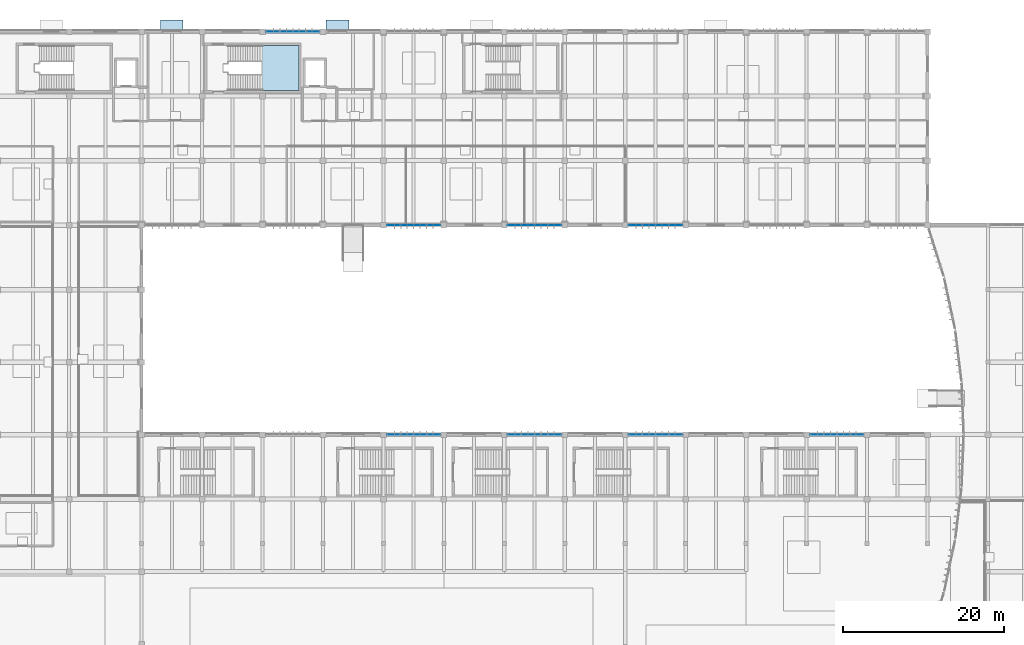
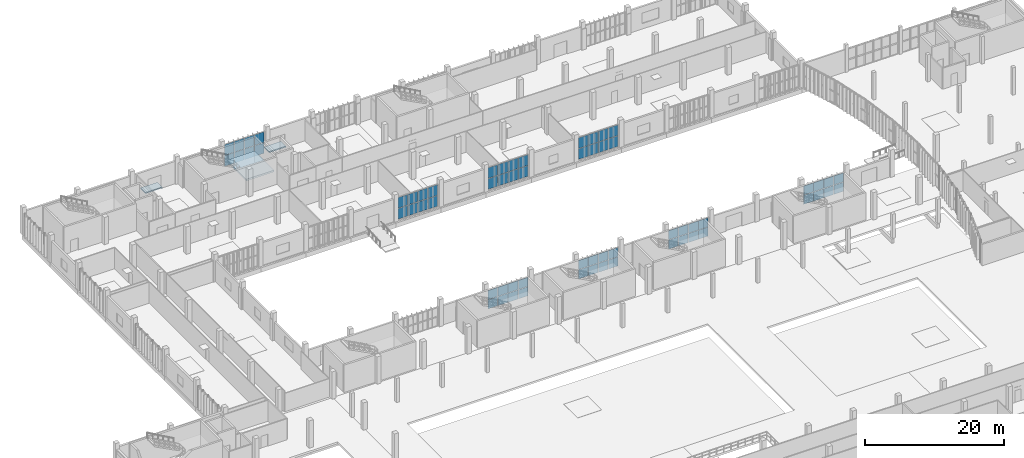
# One storey, part 37 of 72: 64 plates, 3 slabs, 9 elements without a shape of their own.
"""IFC4 building model written with IfcOpenShell, lengths in metres."""

from ifc_helpers import new_model, si_unit, direction, frame, origin, origin_2d, place, context, subcontext, project, spatial, polyline, rectangle, outline, extrude, material, layer, layer_set, type_object, element, aggregate, save


model = new_model("IFC4")

# Units and contexts
model_context = context("Model", 3, precision=1e-05, world=origin(), true_north=direction((0.0, 1.0)))
body_context = subcontext(model_context, "Body", "Model", "MODEL_VIEW")
ifc_project = project(units=[si_unit("LENGTHUNIT", "METRE"), si_unit("AREAUNIT", "SQUARE_METRE"), si_unit("VOLUMEUNIT", "CUBIC_METRE"), si_unit("PLANEANGLEUNIT", "RADIAN"), si_unit("MASSUNIT", "GRAM", prefix="KILO")], contexts=[model_context])

# Site, building, storey
site_placement = place(None, origin())
site = spatial("IfcSite", under=ifc_project, at=site_placement, CompositionType="ELEMENT")
building_placement = place(site_placement, origin())
building = spatial("IfcBuilding", under=site, at=building_placement, Name="Vourika Railside Aquatics Centre", CompositionType="ELEMENT")
storey_placement = place(building_placement, origin())
storey = spatial("IfcBuildingStorey", under=building, at=storey_placement, Name="L00", CompositionType="ELEMENT", Elevation=0.0)

# Curtain wall, plates
ifc_material_1 = material(Name="Anodized thermally broken aluminium", Category="aluminium")
curtain_wall_type_1 = type_object("IfcCurtainWallType", Name="CW-CRT0", PredefinedType="NOTDEFINED", material=ifc_material_1)
curtain_wall_1_placement = place(storey_placement, origin())
curtain_wall_1 = element("IfcCurtainWall", 1, at=curtain_wall_1_placement, inside=storey, type_object=curtain_wall_type_1, Name="North Courtyard Undercroft Curtain Wall 5", PredefinedType="NOTDEFINED")
ifc_material_2 = material(Name="Low-E solar-control laminated double glazing", Category="glass")
ifc_layer_1 = layer(ifc_material_2, 0.031982421875, Name="CWP-CRT0")
ifc_layer_set_1 = layer_set([ifc_layer_1], Name="Low-E solar-control laminated double glazing")
plate_type_1 = type_object("IfcPlateType", Name="CWP-CRT0", PredefinedType="CURTAIN_PANEL", material=ifc_layer_set_1)
plate_1_placement = place(storey_placement, frame((72.260009765625, 66.0, 0.070068359375), z_axis=(0.0, 0.0, 1.0), x_axis=(-1.0, 0.0, 0.0)))
plate_1 = element("IfcPlate", 2, at=plate_1_placement, type_object=plate_type_1, Name="CW12 panel 1.1", PredefinedType="CURTAIN_PANEL", context=body_context, shape_type="SweptSolid", body=[
    extrude(rectangle(XDim=1.580078125, YDim=0.031982421875, at=origin_2d()), origin(), (0.0, 0.0, 1.0), 1.5849609375),
])
plate_2_placement = place(storey_placement, frame((72.260009765625, 66.0, 1.72509765625), z_axis=(0.0, 0.0, 1.0), x_axis=(-1.0, 0.0, 0.0)))
plate_2 = element("IfcPlate", 3, at=plate_2_placement, type_object=plate_type_1, Name="CW12 panel 1.2", PredefinedType="CURTAIN_PANEL", context=body_context, shape_type="SweptSolid", body=[
    extrude(rectangle(XDim=1.580078125, YDim=0.031982421875, at=origin_2d()), origin(), (0.0, 0.0, 1.0), 1.5849609375),
])
plate_3_placement = place(storey_placement, frame((70.592529296875, 66.0, 0.070068359375), z_axis=(0.0, 0.0, 1.0), x_axis=(-1.0, 0.0, 0.0)))
plate_3 = element("IfcPlate", 4, at=plate_3_placement, type_object=plate_type_1, Name="CW12 panel 2.1", PredefinedType="CURTAIN_PANEL", context=body_context, shape_type="SweptSolid", body=[
    extrude(rectangle(XDim=1.614990234375, YDim=0.031982421875, at=origin_2d()), origin(), (0.0, 0.0, 1.0), 1.5849609375),
])
plate_4_placement = place(storey_placement, frame((70.592529296875, 66.0, 1.72509765625), z_axis=(0.0, 0.0, 1.0), x_axis=(-1.0, 0.0, 0.0)))
plate_4 = element("IfcPlate", 5, at=plate_4_placement, type_object=plate_type_1, Name="CW12 panel 2.2", PredefinedType="CURTAIN_PANEL", context=body_context, shape_type="SweptSolid", body=[
    extrude(rectangle(XDim=1.614990234375, YDim=0.031982421875, at=origin_2d()), origin(), (0.0, 0.0, 1.0), 1.5849609375),
])
plate_5_placement = place(storey_placement, frame((68.907470703125, 66.0, 0.070068359375), z_axis=(0.0, 0.0, 1.0), x_axis=(-1.0, 0.0, 0.0)))
plate_5 = element("IfcPlate", 6, at=plate_5_placement, type_object=plate_type_1, Name="CW12 panel 3.1", PredefinedType="CURTAIN_PANEL", context=body_context, shape_type="SweptSolid", body=[
    extrude(rectangle(XDim=1.614990234375, YDim=0.031982421875, at=origin_2d()), origin(), (0.0, 0.0, 1.0), 1.5849609375),
])
plate_6_placement = place(storey_placement, frame((68.907470703125, 66.0, 1.72509765625), z_axis=(0.0, 0.0, 1.0), x_axis=(-1.0, 0.0, 0.0)))
plate_6 = element("IfcPlate", 7, at=plate_6_placement, type_object=plate_type_1, Name="CW12 panel 3.2", PredefinedType="CURTAIN_PANEL", context=body_context, shape_type="SweptSolid", body=[
    extrude(rectangle(XDim=1.614990234375, YDim=0.031982421875, at=origin_2d()), origin(), (0.0, 0.0, 1.0), 1.5849609375),
])
plate_7_placement = place(storey_placement, frame((67.239990234375, 66.0, 0.070068359375), z_axis=(0.0, 0.0, 1.0), x_axis=(-1.0, 0.0, 0.0)))
plate_7 = element("IfcPlate", 8, at=plate_7_placement, type_object=plate_type_1, Name="CW12 panel 4.1", PredefinedType="CURTAIN_PANEL", context=body_context, shape_type="SweptSolid", body=[
    extrude(rectangle(XDim=1.580078125, YDim=0.031982421875, at=origin_2d()), origin(), (0.0, 0.0, 1.0), 1.5849609375),
])
plate_8_placement = place(storey_placement, frame((67.239990234375, 66.0, 1.72509765625), z_axis=(0.0, 0.0, 1.0), x_axis=(-1.0, 0.0, 0.0)))
plate_8 = element("IfcPlate", 9, at=plate_8_placement, type_object=plate_type_1, Name="CW12 panel 4.2", PredefinedType="CURTAIN_PANEL", context=body_context, shape_type="SweptSolid", body=[
    extrude(rectangle(XDim=1.580078125, YDim=0.031982421875, at=origin_2d()), origin(), (0.0, 0.0, 1.0), 1.5849609375),
])
aggregate(curtain_wall_1, [plate_1, plate_2, plate_3, plate_4, plate_5, plate_6, plate_7, plate_8])

curtain_wall_2_placement = place(storey_placement, origin())
curtain_wall_2 = element("IfcCurtainWall", 10, at=curtain_wall_2_placement, inside=storey, type_object=curtain_wall_type_1, Name="North Courtyard Undercroft Curtain Wall 7", PredefinedType="NOTDEFINED")
plate_9_placement = place(storey_placement, frame((87.260009765625, 66.0, 0.070068359375), z_axis=(0.0, 0.0, 1.0), x_axis=(-1.0, 0.0, 0.0)))
plate_9 = element("IfcPlate", 11, at=plate_9_placement, type_object=plate_type_1, Name="CW12 panel 1.1", PredefinedType="CURTAIN_PANEL", context=body_context, shape_type="SweptSolid", body=[
    extrude(rectangle(XDim=1.580078125, YDim=0.031982421875, at=origin_2d()), origin(), (0.0, 0.0, 1.0), 1.5849609375),
])
plate_10_placement = place(storey_placement, frame((87.260009765625, 66.0, 1.72509765625), z_axis=(0.0, 0.0, 1.0), x_axis=(-1.0, 0.0, 0.0)))
plate_10 = element("IfcPlate", 12, at=plate_10_placement, type_object=plate_type_1, Name="CW12 panel 1.2", PredefinedType="CURTAIN_PANEL", context=body_context, shape_type="SweptSolid", body=[
    extrude(rectangle(XDim=1.580078125, YDim=0.031982421875, at=origin_2d()), origin(), (0.0, 0.0, 1.0), 1.5849609375),
])
plate_11_placement = place(storey_placement, frame((85.592529296875, 66.0, 0.070068359375), z_axis=(0.0, 0.0, 1.0), x_axis=(-1.0, 0.0, 0.0)))
plate_11 = element("IfcPlate", 13, at=plate_11_placement, type_object=plate_type_1, Name="CW12 panel 2.1", PredefinedType="CURTAIN_PANEL", context=body_context, shape_type="SweptSolid", body=[
    extrude(rectangle(XDim=1.614990234375, YDim=0.031982421875, at=origin_2d()), origin(), (0.0, 0.0, 1.0), 1.5849609375),
])
plate_12_placement = place(storey_placement, frame((85.592529296875, 66.0, 1.72509765625), z_axis=(0.0, 0.0, 1.0), x_axis=(-1.0, 0.0, 0.0)))
plate_12 = element("IfcPlate", 14, at=plate_12_placement, type_object=plate_type_1, Name="CW12 panel 2.2", PredefinedType="CURTAIN_PANEL", context=body_context, shape_type="SweptSolid", body=[
    extrude(rectangle(XDim=1.614990234375, YDim=0.031982421875, at=origin_2d()), origin(), (0.0, 0.0, 1.0), 1.5849609375),
])
plate_13_placement = place(storey_placement, frame((83.907470703125, 66.0, 0.070068359375), z_axis=(0.0, 0.0, 1.0), x_axis=(-1.0, 0.0, 0.0)))
plate_13 = element("IfcPlate", 15, at=plate_13_placement, type_object=plate_type_1, Name="CW12 panel 3.1", PredefinedType="CURTAIN_PANEL", context=body_context, shape_type="SweptSolid", body=[
    extrude(rectangle(XDim=1.614990234375, YDim=0.031982421875, at=origin_2d()), origin(), (0.0, 0.0, 1.0), 1.5849609375),
])
plate_14_placement = place(storey_placement, frame((83.907470703125, 66.0, 1.72509765625), z_axis=(0.0, 0.0, 1.0), x_axis=(-1.0, 0.0, 0.0)))
plate_14 = element("IfcPlate", 16, at=plate_14_placement, type_object=plate_type_1, Name="CW12 panel 3.2", PredefinedType="CURTAIN_PANEL", context=body_context, shape_type="SweptSolid", body=[
    extrude(rectangle(XDim=1.614990234375, YDim=0.031982421875, at=origin_2d()), origin(), (0.0, 0.0, 1.0), 1.5849609375),
])
plate_15_placement = place(storey_placement, frame((82.239990234375, 66.0, 0.070068359375), z_axis=(0.0, 0.0, 1.0), x_axis=(-1.0, 0.0, 0.0)))
plate_15 = element("IfcPlate", 17, at=plate_15_placement, type_object=plate_type_1, Name="CW12 panel 4.1", PredefinedType="CURTAIN_PANEL", context=body_context, shape_type="SweptSolid", body=[
    extrude(rectangle(XDim=1.580078125, YDim=0.031982421875, at=origin_2d()), origin(), (0.0, 0.0, 1.0), 1.5849609375),
])
plate_16_placement = place(storey_placement, frame((82.239990234375, 66.0, 1.72509765625), z_axis=(0.0, 0.0, 1.0), x_axis=(-1.0, 0.0, 0.0)))
plate_16 = element("IfcPlate", 18, at=plate_16_placement, type_object=plate_type_1, Name="CW12 panel 4.2", PredefinedType="CURTAIN_PANEL", context=body_context, shape_type="SweptSolid", body=[
    extrude(rectangle(XDim=1.580078125, YDim=0.031982421875, at=origin_2d()), origin(), (0.0, 0.0, 1.0), 1.5849609375),
])
aggregate(curtain_wall_2, [plate_9, plate_10, plate_11, plate_12, plate_13, plate_14, plate_15, plate_16])

curtain_wall_3_placement = place(storey_placement, origin())
curtain_wall_3 = element("IfcCurtainWall", 19, at=curtain_wall_3_placement, inside=storey, type_object=curtain_wall_type_1, Name="North Courtyard Undercroft Curtain Wall 9", PredefinedType="NOTDEFINED")
plate_17_placement = place(storey_placement, frame((102.260009765625, 66.0, 0.070068359375), z_axis=(0.0, 0.0, 1.0), x_axis=(-1.0, 0.0, 0.0)))
plate_17 = element("IfcPlate", 20, at=plate_17_placement, type_object=plate_type_1, Name="CW12 panel 1.1", PredefinedType="CURTAIN_PANEL", context=body_context, shape_type="SweptSolid", body=[
    extrude(rectangle(XDim=1.580078125, YDim=0.031982421875, at=origin_2d()), origin(), (0.0, 0.0, 1.0), 1.5849609375),
])
plate_18_placement = place(storey_placement, frame((102.260009765625, 66.0, 1.72509765625), z_axis=(0.0, 0.0, 1.0), x_axis=(-1.0, 0.0, 0.0)))
plate_18 = element("IfcPlate", 21, at=plate_18_placement, type_object=plate_type_1, Name="CW12 panel 1.2", PredefinedType="CURTAIN_PANEL", context=body_context, shape_type="SweptSolid", body=[
    extrude(rectangle(XDim=1.580078125, YDim=0.031982421875, at=origin_2d()), origin(), (0.0, 0.0, 1.0), 1.5849609375),
])
plate_19_placement = place(storey_placement, frame((100.592529296875, 66.0, 0.070068359375), z_axis=(0.0, 0.0, 1.0), x_axis=(-1.0, 0.0, 0.0)))
plate_19 = element("IfcPlate", 22, at=plate_19_placement, type_object=plate_type_1, Name="CW12 panel 2.1", PredefinedType="CURTAIN_PANEL", context=body_context, shape_type="SweptSolid", body=[
    extrude(rectangle(XDim=1.614990234375, YDim=0.031982421875, at=origin_2d()), origin(), (0.0, 0.0, 1.0), 1.5849609375),
])
plate_20_placement = place(storey_placement, frame((100.592529296875, 66.0, 1.72509765625), z_axis=(0.0, 0.0, 1.0), x_axis=(-1.0, 0.0, 0.0)))
plate_20 = element("IfcPlate", 23, at=plate_20_placement, type_object=plate_type_1, Name="CW12 panel 2.2", PredefinedType="CURTAIN_PANEL", context=body_context, shape_type="SweptSolid", body=[
    extrude(rectangle(XDim=1.614990234375, YDim=0.031982421875, at=origin_2d()), origin(), (0.0, 0.0, 1.0), 1.5849609375),
])
plate_21_placement = place(storey_placement, frame((98.907470703125, 66.0, 0.070068359375), z_axis=(0.0, 0.0, 1.0), x_axis=(-1.0, 0.0, 0.0)))
plate_21 = element("IfcPlate", 24, at=plate_21_placement, type_object=plate_type_1, Name="CW12 panel 3.1", PredefinedType="CURTAIN_PANEL", context=body_context, shape_type="SweptSolid", body=[
    extrude(rectangle(XDim=1.614990234375, YDim=0.031982421875, at=origin_2d()), origin(), (0.0, 0.0, 1.0), 1.5849609375),
])
plate_22_placement = place(storey_placement, frame((98.907470703125, 66.0, 1.72509765625), z_axis=(0.0, 0.0, 1.0), x_axis=(-1.0, 0.0, 0.0)))
plate_22 = element("IfcPlate", 25, at=plate_22_placement, type_object=plate_type_1, Name="CW12 panel 3.2", PredefinedType="CURTAIN_PANEL", context=body_context, shape_type="SweptSolid", body=[
    extrude(rectangle(XDim=1.614990234375, YDim=0.031982421875, at=origin_2d()), origin(), (0.0, 0.0, 1.0), 1.5849609375),
])
plate_23_placement = place(storey_placement, frame((97.239990234375, 66.0, 0.070068359375), z_axis=(0.0, 0.0, 1.0), x_axis=(-1.0, 0.0, 0.0)))
plate_23 = element("IfcPlate", 26, at=plate_23_placement, type_object=plate_type_1, Name="CW12 panel 4.1", PredefinedType="CURTAIN_PANEL", context=body_context, shape_type="SweptSolid", body=[
    extrude(rectangle(XDim=1.580078125, YDim=0.031982421875, at=origin_2d()), origin(), (0.0, 0.0, 1.0), 1.5849609375),
])
plate_24_placement = place(storey_placement, frame((97.239990234375, 66.0, 1.72509765625), z_axis=(0.0, 0.0, 1.0), x_axis=(-1.0, 0.0, 0.0)))
plate_24 = element("IfcPlate", 27, at=plate_24_placement, type_object=plate_type_1, Name="CW12 panel 4.2", PredefinedType="CURTAIN_PANEL", context=body_context, shape_type="SweptSolid", body=[
    extrude(rectangle(XDim=1.580078125, YDim=0.031982421875, at=origin_2d()), origin(), (0.0, 0.0, 1.0), 1.5849609375),
])
aggregate(curtain_wall_3, [plate_17, plate_18, plate_19, plate_20, plate_21, plate_22, plate_23, plate_24])

curtain_wall_4_placement = place(storey_placement, origin())
curtain_wall_4 = element("IfcCurtainWall", 28, at=curtain_wall_4_placement, inside=storey, type_object=curtain_wall_type_1, Name="North Courtyard Undercroft Curtain Wall 12", PredefinedType="NOTDEFINED")
plate_25_placement = place(storey_placement, frame((124.760009765625, 66.0, 0.070068359375), z_axis=(0.0, 0.0, 1.0), x_axis=(-1.0, 0.0, 0.0)))
plate_25 = element("IfcPlate", 29, at=plate_25_placement, type_object=plate_type_1, Name="CW12 panel 1.1", PredefinedType="CURTAIN_PANEL", context=body_context, shape_type="SweptSolid", body=[
    extrude(rectangle(XDim=1.580078125, YDim=0.031982421875, at=origin_2d()), origin(), (0.0, 0.0, 1.0), 1.5849609375),
])
plate_26_placement = place(storey_placement, frame((124.760009765625, 66.0, 1.72509765625), z_axis=(0.0, 0.0, 1.0), x_axis=(-1.0, 0.0, 0.0)))
plate_26 = element("IfcPlate", 30, at=plate_26_placement, type_object=plate_type_1, Name="CW12 panel 1.2", PredefinedType="CURTAIN_PANEL", context=body_context, shape_type="SweptSolid", body=[
    extrude(rectangle(XDim=1.580078125, YDim=0.031982421875, at=origin_2d()), origin(), (0.0, 0.0, 1.0), 1.5849609375),
])
plate_27_placement = place(storey_placement, frame((123.092529296875, 66.0, 0.070068359375), z_axis=(0.0, 0.0, 1.0), x_axis=(-1.0, 0.0, 0.0)))
plate_27 = element("IfcPlate", 31, at=plate_27_placement, type_object=plate_type_1, Name="CW12 panel 2.1", PredefinedType="CURTAIN_PANEL", context=body_context, shape_type="SweptSolid", body=[
    extrude(rectangle(XDim=1.614990234375, YDim=0.031982421875, at=origin_2d()), origin(), (0.0, 0.0, 1.0), 1.5849609375),
])
plate_28_placement = place(storey_placement, frame((123.092529296875, 66.0, 1.72509765625), z_axis=(0.0, 0.0, 1.0), x_axis=(-1.0, 0.0, 0.0)))
plate_28 = element("IfcPlate", 32, at=plate_28_placement, type_object=plate_type_1, Name="CW12 panel 2.2", PredefinedType="CURTAIN_PANEL", context=body_context, shape_type="SweptSolid", body=[
    extrude(rectangle(XDim=1.614990234375, YDim=0.031982421875, at=origin_2d()), origin(), (0.0, 0.0, 1.0), 1.5849609375),
])
plate_29_placement = place(storey_placement, frame((121.407470703125, 66.0, 0.070068359375), z_axis=(0.0, 0.0, 1.0), x_axis=(-1.0, 0.0, 0.0)))
plate_29 = element("IfcPlate", 33, at=plate_29_placement, type_object=plate_type_1, Name="CW12 panel 3.1", PredefinedType="CURTAIN_PANEL", context=body_context, shape_type="SweptSolid", body=[
    extrude(rectangle(XDim=1.614990234375, YDim=0.031982421875, at=origin_2d()), origin(), (0.0, 0.0, 1.0), 1.5849609375),
])
plate_30_placement = place(storey_placement, frame((121.407470703125, 66.0, 1.72509765625), z_axis=(0.0, 0.0, 1.0), x_axis=(-1.0, 0.0, 0.0)))
plate_30 = element("IfcPlate", 34, at=plate_30_placement, type_object=plate_type_1, Name="CW12 panel 3.2", PredefinedType="CURTAIN_PANEL", context=body_context, shape_type="SweptSolid", body=[
    extrude(rectangle(XDim=1.614990234375, YDim=0.031982421875, at=origin_2d()), origin(), (0.0, 0.0, 1.0), 1.5849609375),
])
plate_31_placement = place(storey_placement, frame((119.739990234375, 66.0, 0.070068359375), z_axis=(0.0, 0.0, 1.0), x_axis=(-1.0, 0.0, 0.0)))
plate_31 = element("IfcPlate", 35, at=plate_31_placement, type_object=plate_type_1, Name="CW12 panel 4.1", PredefinedType="CURTAIN_PANEL", context=body_context, shape_type="SweptSolid", body=[
    extrude(rectangle(XDim=1.580078125, YDim=0.031982421875, at=origin_2d()), origin(), (0.0, 0.0, 1.0), 1.5849609375),
])
plate_32_placement = place(storey_placement, frame((119.739990234375, 66.0, 1.72509765625), z_axis=(0.0, 0.0, 1.0), x_axis=(-1.0, 0.0, 0.0)))
plate_32 = element("IfcPlate", 36, at=plate_32_placement, type_object=plate_type_1, Name="CW12 panel 4.2", PredefinedType="CURTAIN_PANEL", context=body_context, shape_type="SweptSolid", body=[
    extrude(rectangle(XDim=1.580078125, YDim=0.031982421875, at=origin_2d()), origin(), (0.0, 0.0, 1.0), 1.5849609375),
])
aggregate(curtain_wall_4, [plate_25, plate_26, plate_27, plate_28, plate_29, plate_30, plate_31, plate_32])

curtain_wall_type_2 = type_object("IfcCurtainWallType", Name="CW-FIT0", PredefinedType="NOTDEFINED", material=ifc_material_1)
curtain_wall_5_placement = place(storey_placement, origin())
curtain_wall_5 = element("IfcCurtainWall", 37, at=curtain_wall_5_placement, inside=storey, type_object=curtain_wall_type_2, Name="North Boulevard Curtain Wall L00-5", PredefinedType="NOTDEFINED")
ifc_layer_2 = layer(ifc_material_2, 0.031982421875, Name="CWP-FIT0")
ifc_layer_set_2 = layer_set([ifc_layer_2], Name="Low-E solar-control laminated double glazing")
plate_type_2 = type_object("IfcPlateType", Name="CWP-FIT0", PredefinedType="CURTAIN_PANEL", material=ifc_layer_set_2)
plate_33_placement = place(storey_placement, frame((57.26123046875, 116.0, 0.06494140625), z_axis=(0.0, 0.0, 1.0), x_axis=(-1.0, 0.0, 0.0)))
plate_33 = element("IfcPlate", 38, at=plate_33_placement, type_object=plate_type_2, Name="CW14 panel 1.1", PredefinedType="CURTAIN_PANEL", context=body_context, shape_type="SweptSolid", body=[
    extrude(rectangle(XDim=1.58740234375, YDim=0.031982421875, at=origin_2d()), origin(), (0.0, 0.0, 1.0), 1.867431640625),
])
plate_34_placement = place(storey_placement, frame((57.26123046875, 116.0, 1.99755859375), z_axis=(0.0, 0.0, 1.0), x_axis=(-1.0, 0.0, 0.0)))
plate_34 = element("IfcPlate", 39, at=plate_34_placement, type_object=plate_type_2, Name="CW14 panel 1.2", PredefinedType="CURTAIN_PANEL", context=body_context, shape_type="SweptSolid", body=[
    extrude(rectangle(XDim=1.58740234375, YDim=0.031982421875, at=origin_2d()), origin(), (0.0, 0.0, 1.0), 1.867431640625),
])
plate_35_placement = place(storey_placement, frame((55.592529296875, 116.0, 0.06494140625), z_axis=(0.0, 0.0, 1.0), x_axis=(-1.0, 0.0, 0.0)))
plate_35 = element("IfcPlate", 40, at=plate_35_placement, type_object=plate_type_2, Name="CW14 panel 2.1", PredefinedType="CURTAIN_PANEL", context=body_context, shape_type="SweptSolid", body=[
    extrude(rectangle(XDim=1.6201171875, YDim=0.031982421875, at=origin_2d()), origin(), (0.0, 0.0, 1.0), 1.867431640625),
])
plate_36_placement = place(storey_placement, frame((55.592529296875, 116.0, 1.99755859375), z_axis=(0.0, 0.0, 1.0), x_axis=(-1.0, 0.0, 0.0)))
plate_36 = element("IfcPlate", 41, at=plate_36_placement, type_object=plate_type_2, Name="CW14 panel 2.2", PredefinedType="CURTAIN_PANEL", context=body_context, shape_type="SweptSolid", body=[
    extrude(rectangle(XDim=1.6201171875, YDim=0.031982421875, at=origin_2d()), origin(), (0.0, 0.0, 1.0), 1.867431640625),
])
plate_37_placement = place(storey_placement, frame((53.907470703125, 116.0, 0.06494140625), z_axis=(0.0, 0.0, 1.0), x_axis=(-1.0, 0.0, 0.0)))
plate_37 = element("IfcPlate", 42, at=plate_37_placement, type_object=plate_type_2, Name="CW14 panel 3.1", PredefinedType="CURTAIN_PANEL", context=body_context, shape_type="SweptSolid", body=[
    extrude(rectangle(XDim=1.6201171875, YDim=0.031982421875, at=origin_2d()), origin(), (0.0, 0.0, 1.0), 1.867431640625),
])
plate_38_placement = place(storey_placement, frame((53.907470703125, 116.0, 1.99755859375), z_axis=(0.0, 0.0, 1.0), x_axis=(-1.0, 0.0, 0.0)))
plate_38 = element("IfcPlate", 43, at=plate_38_placement, type_object=plate_type_2, Name="CW14 panel 3.2", PredefinedType="CURTAIN_PANEL", context=body_context, shape_type="SweptSolid", body=[
    extrude(rectangle(XDim=1.6201171875, YDim=0.031982421875, at=origin_2d()), origin(), (0.0, 0.0, 1.0), 1.867431640625),
])
plate_39_placement = place(storey_placement, frame((52.23876953125, 116.0, 0.06494140625), z_axis=(0.0, 0.0, 1.0), x_axis=(-1.0, 0.0, 0.0)))
plate_39 = element("IfcPlate", 44, at=plate_39_placement, type_object=plate_type_2, Name="CW14 panel 4.1", PredefinedType="CURTAIN_PANEL", context=body_context, shape_type="SweptSolid", body=[
    extrude(rectangle(XDim=1.58740234375, YDim=0.031982421875, at=origin_2d()), origin(), (0.0, 0.0, 1.0), 1.867431640625),
])
plate_40_placement = place(storey_placement, frame((52.23876953125, 116.0, 1.99755859375), z_axis=(0.0, 0.0, 1.0), x_axis=(-1.0, 0.0, 0.0)))
plate_40 = element("IfcPlate", 45, at=plate_40_placement, type_object=plate_type_2, Name="CW14 panel 4.2", PredefinedType="CURTAIN_PANEL", context=body_context, shape_type="SweptSolid", body=[
    extrude(rectangle(XDim=1.58740234375, YDim=0.031982421875, at=origin_2d()), origin(), (0.0, 0.0, 1.0), 1.867431640625),
])
aggregate(curtain_wall_5, [plate_33, plate_34, plate_35, plate_36, plate_37, plate_38, plate_39, plate_40])

curtain_wall_6_placement = place(storey_placement, origin())
curtain_wall_6 = element("IfcCurtainWall", 46, at=curtain_wall_6_placement, inside=storey, type_object=curtain_wall_type_2, Name="Courtyard Fitness Curtain Wall L00-5", PredefinedType="NOTDEFINED")
plate_41_placement = place(storey_placement, frame((67.23876953125, 92.0, 0.06494140625), z_axis=(0.0, 0.0, 1.0), x_axis=(1.0, 0.0, 0.0)))
plate_41 = element("IfcPlate", 47, at=plate_41_placement, type_object=plate_type_2, Name="CW14 panel 1.1", PredefinedType="CURTAIN_PANEL", context=body_context, shape_type="SweptSolid", body=[
    extrude(rectangle(XDim=1.58740234375, YDim=0.031982421875, at=origin_2d()), origin(), (0.0, 0.0, 1.0), 1.867431640625),
])
plate_42_placement = place(storey_placement, frame((67.23876953125, 92.0, 1.99755859375), z_axis=(0.0, 0.0, 1.0), x_axis=(1.0, 0.0, 0.0)))
plate_42 = element("IfcPlate", 48, at=plate_42_placement, type_object=plate_type_2, Name="CW14 panel 1.2", PredefinedType="CURTAIN_PANEL", context=body_context, shape_type="SweptSolid", body=[
    extrude(rectangle(XDim=1.58740234375, YDim=0.031982421875, at=origin_2d()), origin(), (0.0, 0.0, 1.0), 1.867431640625),
])
plate_43_placement = place(storey_placement, frame((68.907470703125, 92.0, 0.06494140625), z_axis=(0.0, 0.0, 1.0), x_axis=(1.0, 0.0, 0.0)))
plate_43 = element("IfcPlate", 49, at=plate_43_placement, type_object=plate_type_2, Name="CW14 panel 2.1", PredefinedType="CURTAIN_PANEL", context=body_context, shape_type="SweptSolid", body=[
    extrude(rectangle(XDim=1.6201171875, YDim=0.031982421875, at=origin_2d()), origin(), (0.0, 0.0, 1.0), 1.867431640625),
])
plate_44_placement = place(storey_placement, frame((68.907470703125, 92.0, 1.99755859375), z_axis=(0.0, 0.0, 1.0), x_axis=(1.0, 0.0, 0.0)))
plate_44 = element("IfcPlate", 50, at=plate_44_placement, type_object=plate_type_2, Name="CW14 panel 2.2", PredefinedType="CURTAIN_PANEL", context=body_context, shape_type="SweptSolid", body=[
    extrude(rectangle(XDim=1.6201171875, YDim=0.031982421875, at=origin_2d()), origin(), (0.0, 0.0, 1.0), 1.867431640625),
])
plate_45_placement = place(storey_placement, frame((70.592529296875, 92.0, 0.06494140625), z_axis=(0.0, 0.0, 1.0), x_axis=(1.0, 0.0, 0.0)))
plate_45 = element("IfcPlate", 51, at=plate_45_placement, type_object=plate_type_2, Name="CW14 panel 3.1", PredefinedType="CURTAIN_PANEL", context=body_context, shape_type="SweptSolid", body=[
    extrude(rectangle(XDim=1.6201171875, YDim=0.031982421875, at=origin_2d()), origin(), (0.0, 0.0, 1.0), 1.867431640625),
])
plate_46_placement = place(storey_placement, frame((70.592529296875, 92.0, 1.99755859375), z_axis=(0.0, 0.0, 1.0), x_axis=(1.0, 0.0, 0.0)))
plate_46 = element("IfcPlate", 52, at=plate_46_placement, type_object=plate_type_2, Name="CW14 panel 3.2", PredefinedType="CURTAIN_PANEL", context=body_context, shape_type="SweptSolid", body=[
    extrude(rectangle(XDim=1.6201171875, YDim=0.031982421875, at=origin_2d()), origin(), (0.0, 0.0, 1.0), 1.867431640625),
])
plate_47_placement = place(storey_placement, frame((72.26123046875, 92.0, 0.06494140625), z_axis=(0.0, 0.0, 1.0), x_axis=(1.0, 0.0, 0.0)))
plate_47 = element("IfcPlate", 53, at=plate_47_placement, type_object=plate_type_2, Name="CW14 panel 4.1", PredefinedType="CURTAIN_PANEL", context=body_context, shape_type="SweptSolid", body=[
    extrude(rectangle(XDim=1.58740234375, YDim=0.031982421875, at=origin_2d()), origin(), (0.0, 0.0, 1.0), 1.867431640625),
])
plate_48_placement = place(storey_placement, frame((72.26123046875, 92.0, 1.99755859375), z_axis=(0.0, 0.0, 1.0), x_axis=(1.0, 0.0, 0.0)))
plate_48 = element("IfcPlate", 54, at=plate_48_placement, type_object=plate_type_2, Name="CW14 panel 4.2", PredefinedType="CURTAIN_PANEL", context=body_context, shape_type="SweptSolid", body=[
    extrude(rectangle(XDim=1.58740234375, YDim=0.031982421875, at=origin_2d()), origin(), (0.0, 0.0, 1.0), 1.867431640625),
])
aggregate(curtain_wall_6, [plate_41, plate_42, plate_43, plate_44, plate_45, plate_46, plate_47, plate_48])

curtain_wall_7_placement = place(storey_placement, origin())
curtain_wall_7 = element("IfcCurtainWall", 55, at=curtain_wall_7_placement, inside=storey, type_object=curtain_wall_type_2, Name="Courtyard Fitness Curtain Wall L00-7", PredefinedType="NOTDEFINED")
plate_49_placement = place(storey_placement, frame((82.23876953125, 92.0, 0.06494140625), z_axis=(0.0, 0.0, 1.0), x_axis=(1.0, 0.0, 0.0)))
plate_49 = element("IfcPlate", 56, at=plate_49_placement, type_object=plate_type_2, Name="CW14 panel 1.1", PredefinedType="CURTAIN_PANEL", context=body_context, shape_type="SweptSolid", body=[
    extrude(rectangle(XDim=1.58740234375, YDim=0.031982421875, at=origin_2d()), origin(), (0.0, 0.0, 1.0), 1.867431640625),
])
plate_50_placement = place(storey_placement, frame((82.23876953125, 92.0, 1.99755859375), z_axis=(0.0, 0.0, 1.0), x_axis=(1.0, 0.0, 0.0)))
plate_50 = element("IfcPlate", 57, at=plate_50_placement, type_object=plate_type_2, Name="CW14 panel 1.2", PredefinedType="CURTAIN_PANEL", context=body_context, shape_type="SweptSolid", body=[
    extrude(rectangle(XDim=1.58740234375, YDim=0.031982421875, at=origin_2d()), origin(), (0.0, 0.0, 1.0), 1.867431640625),
])
plate_51_placement = place(storey_placement, frame((83.907470703125, 92.0, 0.06494140625), z_axis=(0.0, 0.0, 1.0), x_axis=(1.0, 0.0, 0.0)))
plate_51 = element("IfcPlate", 58, at=plate_51_placement, type_object=plate_type_2, Name="CW14 panel 2.1", PredefinedType="CURTAIN_PANEL", context=body_context, shape_type="SweptSolid", body=[
    extrude(rectangle(XDim=1.6201171875, YDim=0.031982421875, at=origin_2d()), origin(), (0.0, 0.0, 1.0), 1.867431640625),
])
plate_52_placement = place(storey_placement, frame((83.907470703125, 92.0, 1.99755859375), z_axis=(0.0, 0.0, 1.0), x_axis=(1.0, 0.0, 0.0)))
plate_52 = element("IfcPlate", 59, at=plate_52_placement, type_object=plate_type_2, Name="CW14 panel 2.2", PredefinedType="CURTAIN_PANEL", context=body_context, shape_type="SweptSolid", body=[
    extrude(rectangle(XDim=1.6201171875, YDim=0.031982421875, at=origin_2d()), origin(), (0.0, 0.0, 1.0), 1.867431640625),
])
plate_53_placement = place(storey_placement, frame((85.592529296875, 92.0, 0.06494140625), z_axis=(0.0, 0.0, 1.0), x_axis=(1.0, 0.0, 0.0)))
plate_53 = element("IfcPlate", 60, at=plate_53_placement, type_object=plate_type_2, Name="CW14 panel 3.1", PredefinedType="CURTAIN_PANEL", context=body_context, shape_type="SweptSolid", body=[
    extrude(rectangle(XDim=1.6201171875, YDim=0.031982421875, at=origin_2d()), origin(), (0.0, 0.0, 1.0), 1.867431640625),
])
plate_54_placement = place(storey_placement, frame((85.592529296875, 92.0, 1.99755859375), z_axis=(0.0, 0.0, 1.0), x_axis=(1.0, 0.0, 0.0)))
plate_54 = element("IfcPlate", 61, at=plate_54_placement, type_object=plate_type_2, Name="CW14 panel 3.2", PredefinedType="CURTAIN_PANEL", context=body_context, shape_type="SweptSolid", body=[
    extrude(rectangle(XDim=1.6201171875, YDim=0.031982421875, at=origin_2d()), origin(), (0.0, 0.0, 1.0), 1.867431640625),
])
plate_55_placement = place(storey_placement, frame((87.26123046875, 92.0, 0.06494140625), z_axis=(0.0, 0.0, 1.0), x_axis=(1.0, 0.0, 0.0)))
plate_55 = element("IfcPlate", 62, at=plate_55_placement, type_object=plate_type_2, Name="CW14 panel 4.1", PredefinedType="CURTAIN_PANEL", context=body_context, shape_type="SweptSolid", body=[
    extrude(rectangle(XDim=1.58740234375, YDim=0.031982421875, at=origin_2d()), origin(), (0.0, 0.0, 1.0), 1.867431640625),
])
plate_56_placement = place(storey_placement, frame((87.26123046875, 92.0, 1.99755859375), z_axis=(0.0, 0.0, 1.0), x_axis=(1.0, 0.0, 0.0)))
plate_56 = element("IfcPlate", 63, at=plate_56_placement, type_object=plate_type_2, Name="CW14 panel 4.2", PredefinedType="CURTAIN_PANEL", context=body_context, shape_type="SweptSolid", body=[
    extrude(rectangle(XDim=1.58740234375, YDim=0.031982421875, at=origin_2d()), origin(), (0.0, 0.0, 1.0), 1.867431640625),
])
aggregate(curtain_wall_7, [plate_49, plate_50, plate_51, plate_52, plate_53, plate_54, plate_55, plate_56])

curtain_wall_8_placement = place(storey_placement, origin())
curtain_wall_8 = element("IfcCurtainWall", 64, at=curtain_wall_8_placement, inside=storey, type_object=curtain_wall_type_2, Name="Courtyard Fitness Curtain Wall L00-9", PredefinedType="NOTDEFINED")
plate_57_placement = place(storey_placement, frame((97.23876953125, 92.0, 0.06494140625), z_axis=(0.0, 0.0, 1.0), x_axis=(1.0, 0.0, 0.0)))
plate_57 = element("IfcPlate", 65, at=plate_57_placement, type_object=plate_type_2, Name="CW14 panel 1.1", PredefinedType="CURTAIN_PANEL", context=body_context, shape_type="SweptSolid", body=[
    extrude(rectangle(XDim=1.58740234375, YDim=0.031982421875, at=origin_2d()), origin(), (0.0, 0.0, 1.0), 1.867431640625),
])
plate_58_placement = place(storey_placement, frame((97.23876953125, 92.0, 1.99755859375), z_axis=(0.0, 0.0, 1.0), x_axis=(1.0, 0.0, 0.0)))
plate_58 = element("IfcPlate", 66, at=plate_58_placement, type_object=plate_type_2, Name="CW14 panel 1.2", PredefinedType="CURTAIN_PANEL", context=body_context, shape_type="SweptSolid", body=[
    extrude(rectangle(XDim=1.58740234375, YDim=0.031982421875, at=origin_2d()), origin(), (0.0, 0.0, 1.0), 1.867431640625),
])
plate_59_placement = place(storey_placement, frame((98.907470703125, 92.0, 0.06494140625), z_axis=(0.0, 0.0, 1.0), x_axis=(1.0, 0.0, 0.0)))
plate_59 = element("IfcPlate", 67, at=plate_59_placement, type_object=plate_type_2, Name="CW14 panel 2.1", PredefinedType="CURTAIN_PANEL", context=body_context, shape_type="SweptSolid", body=[
    extrude(rectangle(XDim=1.6201171875, YDim=0.031982421875, at=origin_2d()), origin(), (0.0, 0.0, 1.0), 1.867431640625),
])
plate_60_placement = place(storey_placement, frame((98.907470703125, 92.0, 1.99755859375), z_axis=(0.0, 0.0, 1.0), x_axis=(1.0, 0.0, 0.0)))
plate_60 = element("IfcPlate", 68, at=plate_60_placement, type_object=plate_type_2, Name="CW14 panel 2.2", PredefinedType="CURTAIN_PANEL", context=body_context, shape_type="SweptSolid", body=[
    extrude(rectangle(XDim=1.6201171875, YDim=0.031982421875, at=origin_2d()), origin(), (0.0, 0.0, 1.0), 1.867431640625),
])
plate_61_placement = place(storey_placement, frame((100.592529296875, 92.0, 0.06494140625), z_axis=(0.0, 0.0, 1.0), x_axis=(1.0, 0.0, 0.0)))
plate_61 = element("IfcPlate", 69, at=plate_61_placement, type_object=plate_type_2, Name="CW14 panel 3.1", PredefinedType="CURTAIN_PANEL", context=body_context, shape_type="SweptSolid", body=[
    extrude(rectangle(XDim=1.6201171875, YDim=0.031982421875, at=origin_2d()), origin(), (0.0, 0.0, 1.0), 1.867431640625),
])
plate_62_placement = place(storey_placement, frame((100.592529296875, 92.0, 1.99755859375), z_axis=(0.0, 0.0, 1.0), x_axis=(1.0, 0.0, 0.0)))
plate_62 = element("IfcPlate", 70, at=plate_62_placement, type_object=plate_type_2, Name="CW14 panel 3.2", PredefinedType="CURTAIN_PANEL", context=body_context, shape_type="SweptSolid", body=[
    extrude(rectangle(XDim=1.6201171875, YDim=0.031982421875, at=origin_2d()), origin(), (0.0, 0.0, 1.0), 1.867431640625),
])
plate_63_placement = place(storey_placement, frame((102.26123046875, 92.0, 0.06494140625), z_axis=(0.0, 0.0, 1.0), x_axis=(1.0, 0.0, 0.0)))
plate_63 = element("IfcPlate", 71, at=plate_63_placement, type_object=plate_type_2, Name="CW14 panel 4.1", PredefinedType="CURTAIN_PANEL", context=body_context, shape_type="SweptSolid", body=[
    extrude(rectangle(XDim=1.58740234375, YDim=0.031982421875, at=origin_2d()), origin(), (0.0, 0.0, 1.0), 1.867431640625),
])
plate_64_placement = place(storey_placement, frame((102.26123046875, 92.0, 1.99755859375), z_axis=(0.0, 0.0, 1.0), x_axis=(1.0, 0.0, 0.0)))
plate_64 = element("IfcPlate", 72, at=plate_64_placement, type_object=plate_type_2, Name="CW14 panel 4.2", PredefinedType="CURTAIN_PANEL", context=body_context, shape_type="SweptSolid", body=[
    extrude(rectangle(XDim=1.58740234375, YDim=0.031982421875, at=origin_2d()), origin(), (0.0, 0.0, 1.0), 1.867431640625),
])
aggregate(curtain_wall_8, [plate_57, plate_58, plate_59, plate_60, plate_61, plate_62, plate_63, plate_64])

# Slabs
ifc_material_3 = material(Name="Concrete C35/45", Category="concrete")
ifc_layer_3 = layer(ifc_material_3, 0.2099609375, Name="SLB-APRON-210E")
ifc_layer_set_3 = layer_set([ifc_layer_3], Name="Concrete C35/45")
slab_type_1 = type_object("IfcSlabType", Name="SLB-APRON-210E", PredefinedType="FLOOR", material=ifc_layer_set_3)
slab_1_placement = place(storey_placement, frame((0.0, 0.0, -0.2099609375)))
element("IfcSlab", 73, at=slab_1_placement, inside=storey, type_object=slab_type_1, Name="Exterior Entrance Threshold Apron V5N_2", PredefinedType="FLOOR", context=body_context, shape_type="SweptSolid", body=[
    extrude(outline(polyline([(38.35009765625, 116.050048828125), (41.14990234375, 116.050048828125), (41.14990234375, 117.449951171875), (38.35009765625, 117.449951171875), (38.35009765625, 116.050048828125)])), origin(), (0.0, 0.0, 1.0), 0.2099609375),
])
slab_2_placement = place(storey_placement, frame((0.0, 0.0, -0.2099609375)))
element("IfcSlab", 74, at=slab_2_placement, inside=storey, type_object=slab_type_1, Name="Exterior Entrance Threshold Apron V5N_5", PredefinedType="FLOOR", context=body_context, shape_type="SweptSolid", body=[
    extrude(outline(polyline([(58.89990234375, 116.050048828125), (61.699951171875, 116.050048828125), (61.699951171875, 117.449951171875), (58.89990234375, 117.449951171875), (58.89990234375, 116.050048828125)])), origin(), (0.0, 0.0, 1.0), 0.2099609375),
])

# Stair, slab
stair_type = type_object("IfcStairType", Name="STR-CORE-L00", PredefinedType="TWO_STRAIGHT_RUN_STAIR", material=ifc_material_3)
stair_placement = place(storey_placement, origin())
stair = element("IfcStair", 75, at=stair_placement, inside=storey, type_object=stair_type, Name="Protected Exit Stair Core ST02 (L00)", PredefinedType="TWO_STRAIGHT_RUN_STAIR")
ifc_layer_4 = layer(ifc_material_3, 0.31005859375, Name="SLB-LND-310")
ifc_layer_set_4 = layer_set([ifc_layer_4], Name="Concrete C35/45")
slab_type_2 = type_object("IfcSlabType", Name="SLB-LND-310", PredefinedType="LANDING", material=ifc_layer_set_4)
slab_3_placement = place(storey_placement, frame((0.0, 0.0, 2.090087890625)))
slab_3 = element("IfcSlab", 76, at=slab_3_placement, type_object=slab_type_2, Name="STC-L00 landing 1", PredefinedType="LANDING", context=body_context, shape_type="SweptSolid", body=[
    extrude(outline(polyline([(50.8720703125, 108.699951171875), (55.5, 108.699951171875), (55.5, 114.300048828125), (50.8720703125, 114.300048828125), (50.8720703125, 108.699951171875)])), origin(), (0.0, 0.0, 1.0), 0.309814453125),
])
aggregate(stair, [slab_3])

save(model, "model.ifc")
